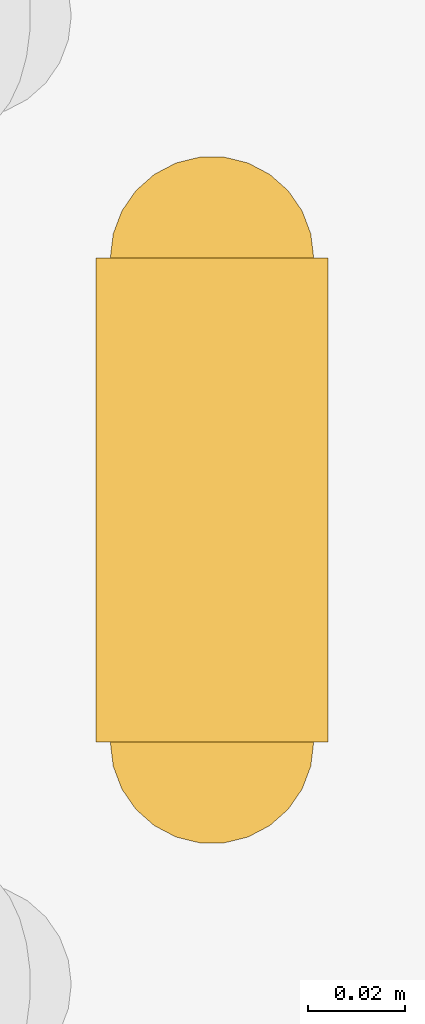
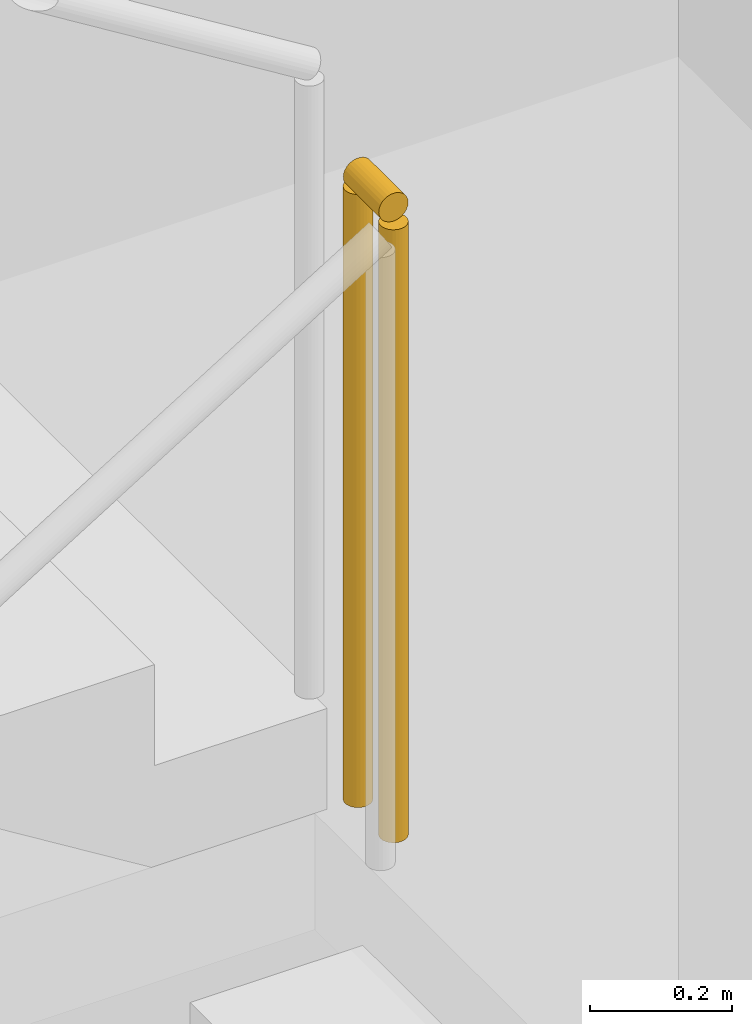
# One storey, part 18 of 21: 1 railing.
"""IFC4 building model written with IfcOpenShell, lengths in metres."""

from ifc_helpers import new_model, si_unit, direction, frame, origin, origin_2d, place, context, subcontext, project, spatial, circle, extrude, material, type_object, element, save


model = new_model("IFC4")

# Units and contexts
model_context = context("Model", 3, precision=1e-05, world=origin(), true_north=direction((0.0, 1.0)))
body_context = subcontext(model_context, "Body", "Model", "MODEL_VIEW")
ifc_project = project(units=[si_unit("LENGTHUNIT", "METRE"), si_unit("AREAUNIT", "SQUARE_METRE"), si_unit("VOLUMEUNIT", "CUBIC_METRE"), si_unit("PLANEANGLEUNIT", "RADIAN"), si_unit("MASSUNIT", "GRAM", prefix="KILO")], contexts=[model_context])

# Site, building, storey
site_placement = place(None, origin())
site = spatial("IfcSite", under=ifc_project, at=site_placement, CompositionType="ELEMENT")
building_placement = place(site_placement, origin())
building = spatial("IfcBuilding", under=site, at=building_placement, Name="Stone Belt Terrace Tower", CompositionType="ELEMENT")
storey_placement = place(building_placement, frame((0.0, 0.0, -9.0)))
storey = spatial("IfcBuildingStorey", under=building, at=storey_placement, Name="B2", CompositionType="ELEMENT", Elevation=-9.0)

# Railing
ifc_material = material(Name="Structural steel C345", Category="steel")
railing_type = type_object("IfcRailingType", Name="Car park guard 1100", PredefinedType="GUARDRAIL", material=ifc_material)
railing_placement = place(storey_placement, frame((-2.739990234375, -19.949951171875, 2.25)))
element("IfcRailing", 1, at=railing_placement, inside=storey, type_object=railing_type, Name="B2 CS5 stair guard 2", PredefinedType="GUARDRAIL", context=body_context, shape_type="SweptSolid", body=[
    extrude(circle(Radius=0.02392578125, at=origin_2d()), frame((0.0, 0.0, 1.076171875), z_axis=(0.0, 1.0, 0.0), x_axis=(-1.0, 0.0, 0.0)), (0.0, 0.0, 1.0), 0.099853515625),
    extrude(circle(Radius=0.02099609375, at=origin_2d()), origin(), (0.0, 0.0, 1.0), 1.052001953125),
    extrude(circle(Radius=0.02099609375, at=origin_2d()), frame((0.0, 0.099853515625, 0.0)), (0.0, 0.0, 1.0), 1.052001953125),
])

save(model, "model.ifc")
